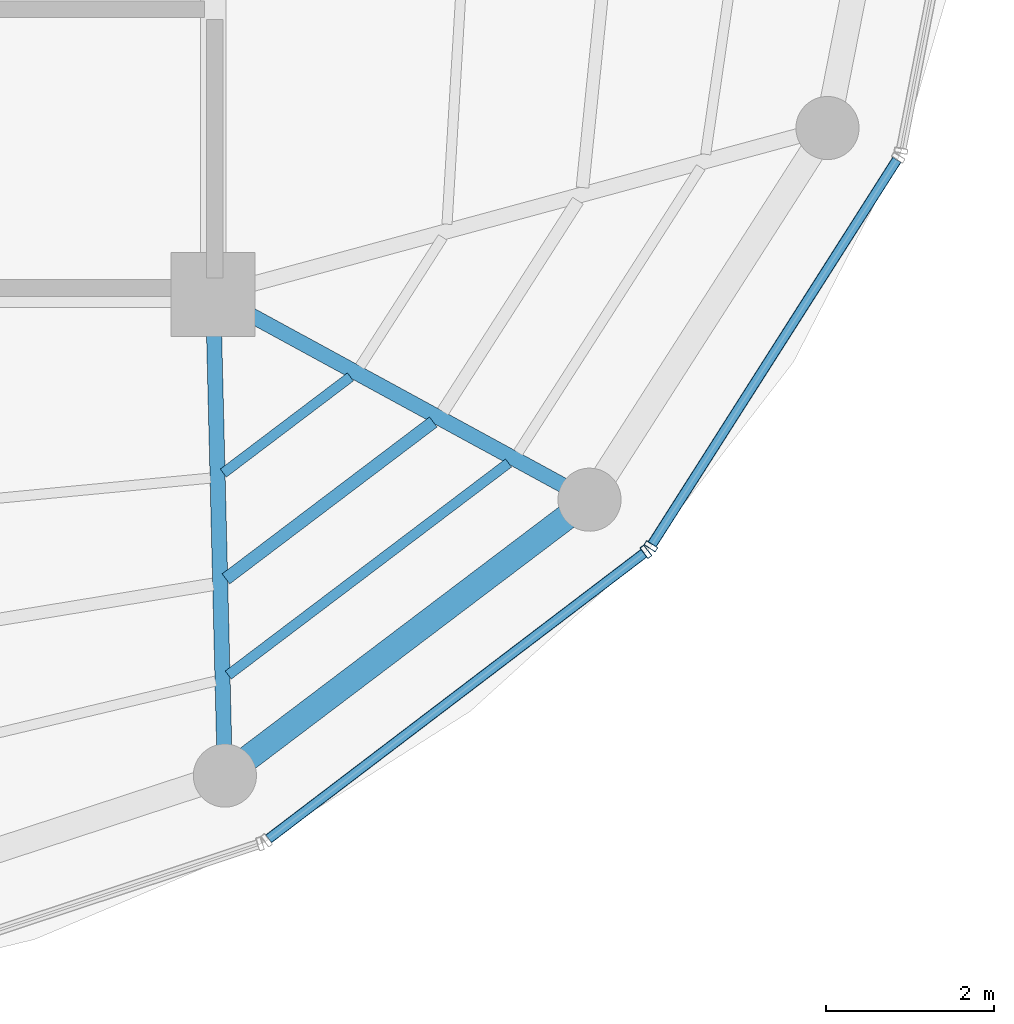
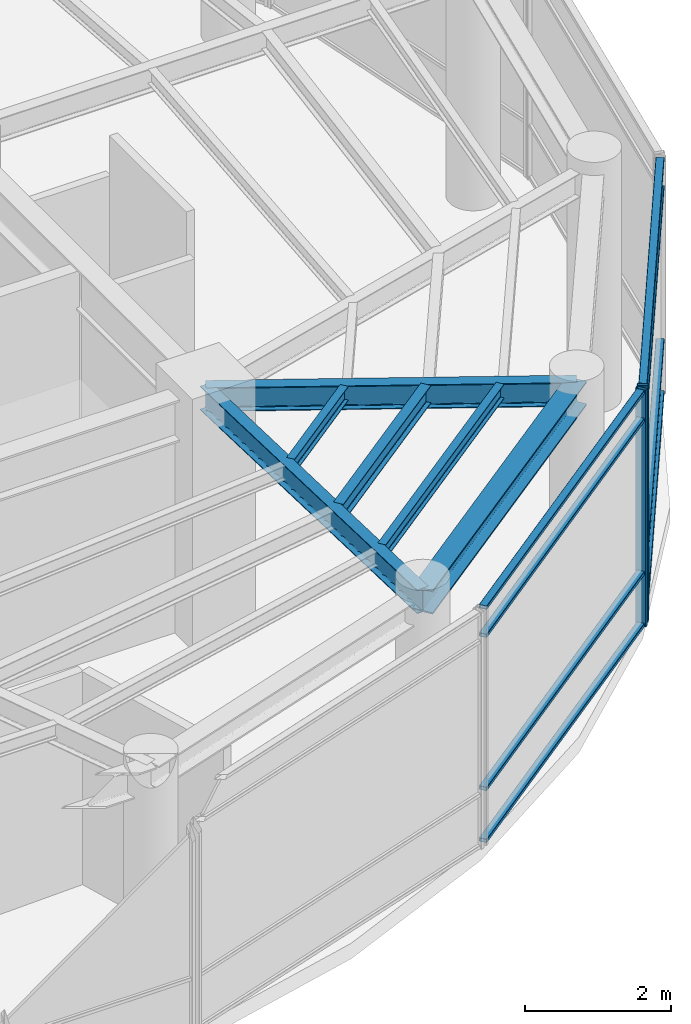
# One storey, part 7 of 19: 10 members, 6 beams, 2 elements without a shape of their own.
"""IFC4 building model written with IfcOpenShell, lengths in metres."""

from ifc_helpers import new_model, si_unit, direction, frame, origin, origin_2d, place, context, subcontext, project, spatial, hollow_rectangle, i_section, extrude, material, layer, layer_set, material_profile, profile_set, type_object, element, aggregate, save


model = new_model("IFC4")

# Units and contexts
model_context = context("Model", 3, precision=1e-05, world=origin(), true_north=direction((0.0, 1.0)))
body_context = subcontext(model_context, "Body", "Model", "MODEL_VIEW")
ifc_project = project(units=[si_unit("LENGTHUNIT", "METRE"), si_unit("AREAUNIT", "SQUARE_METRE"), si_unit("VOLUMEUNIT", "CUBIC_METRE"), si_unit("PLANEANGLEUNIT", "RADIAN"), si_unit("MASSUNIT", "GRAM", prefix="KILO")], contexts=[model_context])

# Site, building, storey
site_placement = place(None, origin())
site = spatial("IfcSite", under=ifc_project, at=site_placement, CompositionType="ELEMENT")
building_placement = place(site_placement, origin())
building = spatial("IfcBuilding", under=site, at=building_placement, Name="Kelanora Arch Commons", CompositionType="ELEMENT")
storey_placement = place(building_placement, frame((0.0, 0.0, 306.89990234375)))
storey = spatial("IfcBuildingStorey", under=building, at=storey_placement, Name="L78", CompositionType="ELEMENT", Elevation=306.89990234375)

# Beams
ifc_material_1 = material(Name="Steel S355", Category="steel")
ifc_material_profile_1 = material_profile(ifc_material_1, i_section(OverallWidth=0.14990234375, OverallDepth=0.300048828125, WebThickness=0.007080078125, FlangeThickness=0.0107421875, FilletRadius=0.014892578125, at=origin_2d()), Name="IPE300")
ifc_profile_set_1 = profile_set([ifc_material_profile_1], Name="Steel S355")
beam_type_1 = type_object("IfcBeamType", Name="BM-JST-01", PredefinedType="JOIST", material=ifc_profile_set_1)
beam_1_placement = place(storey_placement, frame((82.15185546875, 47.623291015625, 3.830078125), z_axis=(0.797441333972, 0.603396485632, 0.0), x_axis=(-0.603396485632, 0.797441333972, 0.0)))
element("IfcBeam", 1, at=beam_1_placement, inside=storey, type_object=beam_type_1, Name="Secondary Chord Joist BJB-30 L78", PredefinedType="JOIST", context=body_context, shape_type="SweptSolid", body=[
    extrude(i_section(OverallWidth=0.14990234375, OverallDepth=0.300048828125, WebThickness=0.007080078125, FlangeThickness=0.0107421875, FilletRadius=0.014892578125, at=origin_2d()), origin(), (0.0, 0.0, 1.0), 3.0888671875),
])
ifc_material_profile_2 = material_profile(ifc_material_1, i_section(OverallWidth=0.1201171875, OverallDepth=0.239990234375, WebThickness=0.006103515625, FlangeThickness=0.009765625, FilletRadius=0.014892578125, at=origin_2d()), Name="IPE240")
ifc_profile_set_2 = profile_set([ifc_material_profile_2], Name="Steel S355")
beam_type_2 = type_object("IfcBeamType", Name="BM-JST-02", PredefinedType="JOIST", material=ifc_profile_set_2)
beam_2_placement = place(storey_placement, frame((82.12109375, 48.880126953125, 3.860107421875), z_axis=(0.797424826317, 0.603418301324, 0.0), x_axis=(-0.603418301324, 0.797424826317, 0.0)))
element("IfcBeam", 2, at=beam_2_placement, inside=storey, type_object=beam_type_2, Name="Secondary Chord Joist BJA-30 L78", PredefinedType="JOIST", context=body_context, shape_type="SweptSolid", body=[
    extrude(i_section(OverallWidth=0.1201171875, OverallDepth=0.239990234375, WebThickness=0.006103515625, FlangeThickness=0.009765625, FilletRadius=0.014892578125, at=origin_2d()), origin(), (0.0, 0.0, 1.0), 1.893798828125),
])
beam_3_placement = place(storey_placement, frame((82.1796875, 46.480712890625, 3.860107421875), z_axis=(0.797480905842, 0.603344184373, 0.0), x_axis=(-0.603344184373, 0.797480905842, 0.0)))
element("IfcBeam", 3, at=beam_3_placement, inside=storey, type_object=beam_type_2, Name="Secondary Chord Joist BJC-30 L78", PredefinedType="JOIST", context=body_context, shape_type="SweptSolid", body=[
    extrude(i_section(OverallWidth=0.1201171875, OverallDepth=0.239990234375, WebThickness=0.006103515625, FlangeThickness=0.009765625, FilletRadius=0.014892578125, at=origin_2d()), origin(), (0.0, 0.0, 1.0), 4.175048828125),
])
ifc_material_profile_3 = material_profile(ifc_material_1, i_section(OverallWidth=0.179931640625, OverallDepth=0.39990234375, WebThickness=0.008544921875, FlangeThickness=0.013427734375, FilletRadius=0.02099609375, at=origin_2d()), Name="IPE400")
ifc_profile_set_3 = profile_set([ifc_material_profile_3], Name="Steel S355")
beam_type_3 = type_object("IfcBeamType", Name="BM-RAD-Z5", PredefinedType="BEAM", material=ifc_profile_set_3)
beam_4_placement = place(storey_placement, frame((82.0, 51.0, 3.780029296875), z_axis=(0.0244777504, -0.99970037498, 0.0), x_axis=(0.99970037498, 0.0244777504, 0.0)))
element("IfcBeam", 4, at=beam_4_placement, inside=storey, type_object=beam_type_3, Name="Radial Floor Girder BR-30 L78", PredefinedType="BEAM", context=body_context, shape_type="SweptSolid", body=[
    extrude(i_section(OverallWidth=0.179931640625, OverallDepth=0.39990234375, WebThickness=0.008544921875, FlangeThickness=0.013427734375, FilletRadius=0.02099609375, at=origin_2d()), origin(), (0.0, 0.0, 1.0), 5.715087890625),
])
beam_5_placement = place(storey_placement, frame((82.0, 51.0, 3.780029296875), z_axis=(0.878126355987, -0.478428785631, 0.0), x_axis=(0.478428785631, 0.878126355987, 0.0)))
element("IfcBeam", 5, at=beam_5_placement, inside=storey, type_object=beam_type_3, Name="Radial Floor Girder BR-32 L78", PredefinedType="BEAM", context=body_context, shape_type="SweptSolid", body=[
    extrude(i_section(OverallWidth=0.179931640625, OverallDepth=0.39990234375, WebThickness=0.008544921875, FlangeThickness=0.013427734375, FilletRadius=0.02099609375, at=origin_2d()), origin(), (0.0, 0.0, 1.0), 5.091796875),
])
ifc_material_profile_4 = material_profile(ifc_material_1, i_section(OverallWidth=0.300048828125, OverallDepth=0.39990234375, WebThickness=0.013427734375, FlangeThickness=0.02392578125, FilletRadius=0.027099609375, at=origin_2d()), Name="HEB400")
ifc_profile_set_4 = profile_set([ifc_material_profile_4], Name="Steel S355")
beam_type_4 = type_object("IfcBeamType", Name="BM-SPN-Z4", PredefinedType="SPANDREL", material=ifc_profile_set_4)
beam_6_placement = place(storey_placement, frame((82.139892578125, 45.28662109375, 3.780029296875), z_axis=(0.797441458309, 0.603396321309, 0.0), x_axis=(-0.603396321309, 0.797441458309, 0.0)))
element("IfcBeam", 6, at=beam_6_placement, inside=storey, type_object=beam_type_4, Name="Perimeter Spandrel Beam BS-30 L78", PredefinedType="SPANDREL", context=body_context, shape_type="SweptSolid", body=[
    extrude(i_section(OverallWidth=0.300048828125, OverallDepth=0.39990234375, WebThickness=0.013427734375, FlangeThickness=0.02392578125, FilletRadius=0.027099609375, at=origin_2d()), origin(), (0.0, 0.0, 1.0), 5.431396484375),
])

# Curtain wall, member
ifc_material_2 = material(Name="Terracotta ceramic-fritted low-E glass and aluminium", Category="masonry")
ifc_layer = layer(ifc_material_2, 0.14990234375)
ifc_layer_set = layer_set([ifc_layer], Name="Terracotta ceramic-fritted low-E glass and aluminium")
curtain_wall_type = type_object("IfcCurtainWallType", Name="CW-SYS-06", PredefinedType="NOTDEFINED", material=ifc_layer_set)
curtain_wall_1_placement = place(storey_placement, origin())
curtain_wall_1 = element("IfcCurtainWall", 7, at=curtain_wall_1_placement, inside=storey, type_object=curtain_wall_type, Name="Unitised Curtain Wall L78-B15", PredefinedType="NOTDEFINED")
ifc_material_3 = material(Name="Powder-coated aluminium terracotta", Category="masonry")
ifc_material_profile_5 = material_profile(ifc_material_3, hollow_rectangle(XDim=0.159912109375, YDim=0.06005859375, WallThickness=0.0048828125, InnerFilletRadius=0.0048828125, OuterFilletRadius=0.010009765625, at=origin_2d()), Name="CWM160x60")
ifc_profile_set_5 = profile_set([ifc_material_profile_5], Name="Powder-coated aluminium terracotta")
member_type_1 = type_object("IfcMemberType", Name="CWM-STD", PredefinedType="MULLION", material=ifc_profile_set_5)
member_1_placement = place(storey_placement, frame((87.14013671875, 47.9453125, 0.0), z_axis=(0.0, 0.0, 1.0), x_axis=(-0.605595960801, 0.795772286688, 0.0)))
member_1 = element("IfcMember", 8, at=member_1_placement, type_object=member_type_1, Name="CW-06 mullion 2", PredefinedType="MULLION", context=body_context, shape_type="SweptSolid", body=[
    extrude(hollow_rectangle(XDim=0.159912109375, YDim=0.06005859375, WallThickness=0.0048828125, InnerFilletRadius=0.0048828125, OuterFilletRadius=0.010009765625, at=origin_2d()), origin(), (0.0, 0.0, 1.0), 3.965087890625),
])

curtain_wall_2_placement = place(storey_placement, origin())
curtain_wall_2 = element("IfcCurtainWall", 9, at=curtain_wall_2_placement, inside=storey, type_object=curtain_wall_type, Name="Unitised Curtain Wall L78-B16", PredefinedType="NOTDEFINED")
member_2_placement = place(storey_placement, frame((87.2001953125, 48.010498046875, 0.0), z_axis=(0.0, 0.0, 1.0), x_axis=(-0.84359225554, 0.536984270154, 0.0)))
member_2 = element("IfcMember", 10, at=member_2_placement, type_object=member_type_1, Name="CW-06 mullion 1", PredefinedType="MULLION", context=body_context, shape_type="SweptSolid", body=[
    extrude(hollow_rectangle(XDim=0.159912109375, YDim=0.06005859375, WallThickness=0.0048828125, InnerFilletRadius=0.0048828125, OuterFilletRadius=0.010009765625, at=origin_2d()), origin(), (0.0, 0.0, 1.0), 3.965087890625),
])

# Member
ifc_material_profile_6 = material_profile(ifc_material_3, hollow_rectangle(XDim=0.1201171875, YDim=0.06005859375, WallThickness=0.0048828125, InnerFilletRadius=0.0048828125, OuterFilletRadius=0.010009765625, at=origin_2d()), Name="CWT120x60")
ifc_profile_set_6 = profile_set([ifc_material_profile_6], Name="Powder-coated aluminium terracotta")
member_type_2 = type_object("IfcMemberType", Name="CWT-STD", PredefinedType="USERDEFINED", material=ifc_profile_set_6)
member_3_placement = place(storey_placement, frame((82.65966796875, 44.535400390625, 0.030029296875), z_axis=(0.79577982782, 0.605586051387, 0.0), x_axis=(-0.605586051387, 0.79577982782, 0.0)))
member_3 = element("IfcMember", 11, at=member_3_placement, type_object=member_type_2, Name="CW-06 transom 1.1", ObjectType="TRANSOM", PredefinedType="USERDEFINED", context=body_context, shape_type="SweptSolid", body=[
    extrude(hollow_rectangle(XDim=0.1201171875, YDim=0.06005859375, WallThickness=0.0048828125, InnerFilletRadius=0.0048828125, OuterFilletRadius=0.010009765625, at=origin_2d()), origin(), (0.0, 0.0, 1.0), 5.6005859375),
])

member_4_placement = place(storey_placement, frame((82.65966796875, 44.535400390625, 0.900146484375), z_axis=(0.79577982782, 0.605586051387, 0.0), x_axis=(-0.605586051387, 0.79577982782, 0.0)))
member_4 = element("IfcMember", 12, at=member_4_placement, type_object=member_type_2, Name="CW-06 transom 1.2", ObjectType="TRANSOM", PredefinedType="USERDEFINED", context=body_context, shape_type="SweptSolid", body=[
    extrude(hollow_rectangle(XDim=0.1201171875, YDim=0.06005859375, WallThickness=0.0048828125, InnerFilletRadius=0.0048828125, OuterFilletRadius=0.010009765625, at=origin_2d()), origin(), (0.0, 0.0, 1.0), 5.6005859375),
])

member_5_placement = place(storey_placement, frame((82.65966796875, 44.535400390625, 3.465087890625), z_axis=(0.79577982782, 0.605586051387, 0.0), x_axis=(-0.605586051387, 0.79577982782, 0.0)))
member_5 = element("IfcMember", 13, at=member_5_placement, type_object=member_type_2, Name="CW-06 transom 1.3", ObjectType="TRANSOM", PredefinedType="USERDEFINED", context=body_context, shape_type="SweptSolid", body=[
    extrude(hollow_rectangle(XDim=0.1201171875, YDim=0.06005859375, WallThickness=0.0048828125, InnerFilletRadius=0.0048828125, OuterFilletRadius=0.010009765625, at=origin_2d()), origin(), (0.0, 0.0, 1.0), 5.6005859375),
])

member_6_placement = place(storey_placement, frame((82.65966796875, 44.535400390625, 3.93505859375), z_axis=(0.79577982782, 0.605586051387, 0.0), x_axis=(-0.605586051387, 0.79577982782, 0.0)))
member_6 = element("IfcMember", 14, at=member_6_placement, type_object=member_type_2, Name="CW-06 transom 1.4", ObjectType="TRANSOM", PredefinedType="USERDEFINED", context=body_context, shape_type="SweptSolid", body=[
    extrude(hollow_rectangle(XDim=0.1201171875, YDim=0.06005859375, WallThickness=0.0048828125, InnerFilletRadius=0.0048828125, OuterFilletRadius=0.010009765625, at=origin_2d()), origin(), (0.0, 0.0, 1.0), 5.6005859375),
])

aggregate(curtain_wall_1, [member_1, member_3, member_4, member_5, member_6])

member_7_placement = place(storey_placement, frame((87.21630859375, 48.035888671875, 0.030029296875), z_axis=(0.536992252766, 0.843587174197, 0.0), x_axis=(-0.843587174197, 0.536992252766, 0.0)))
member_7 = element("IfcMember", 15, at=member_7_placement, type_object=member_type_2, Name="CW-06 transom 1.1", ObjectType="TRANSOM", PredefinedType="USERDEFINED", context=body_context, shape_type="SweptSolid", body=[
    extrude(hollow_rectangle(XDim=0.1201171875, YDim=0.06005859375, WallThickness=0.0048828125, InnerFilletRadius=0.0048828125, OuterFilletRadius=0.010009765625, at=origin_2d()), origin(), (0.0, 0.0, 1.0), 5.41162109375),
])

member_8_placement = place(storey_placement, frame((87.21630859375, 48.035888671875, 0.900146484375), z_axis=(0.536992252766, 0.843587174197, 0.0), x_axis=(-0.843587174197, 0.536992252766, 0.0)))
member_8 = element("IfcMember", 16, at=member_8_placement, type_object=member_type_2, Name="CW-06 transom 1.2", ObjectType="TRANSOM", PredefinedType="USERDEFINED", context=body_context, shape_type="SweptSolid", body=[
    extrude(hollow_rectangle(XDim=0.1201171875, YDim=0.06005859375, WallThickness=0.0048828125, InnerFilletRadius=0.0048828125, OuterFilletRadius=0.010009765625, at=origin_2d()), origin(), (0.0, 0.0, 1.0), 5.41162109375),
])

member_9_placement = place(storey_placement, frame((87.21630859375, 48.035888671875, 3.465087890625), z_axis=(0.536992252766, 0.843587174197, 0.0), x_axis=(-0.843587174197, 0.536992252766, 0.0)))
member_9 = element("IfcMember", 17, at=member_9_placement, type_object=member_type_2, Name="CW-06 transom 1.3", ObjectType="TRANSOM", PredefinedType="USERDEFINED", context=body_context, shape_type="SweptSolid", body=[
    extrude(hollow_rectangle(XDim=0.1201171875, YDim=0.06005859375, WallThickness=0.0048828125, InnerFilletRadius=0.0048828125, OuterFilletRadius=0.010009765625, at=origin_2d()), origin(), (0.0, 0.0, 1.0), 5.41162109375),
])

member_10_placement = place(storey_placement, frame((87.21630859375, 48.035888671875, 3.93505859375), z_axis=(0.536992252766, 0.843587174197, 0.0), x_axis=(-0.843587174197, 0.536992252766, 0.0)))
member_10 = element("IfcMember", 18, at=member_10_placement, type_object=member_type_2, Name="CW-06 transom 1.4", ObjectType="TRANSOM", PredefinedType="USERDEFINED", context=body_context, shape_type="SweptSolid", body=[
    extrude(hollow_rectangle(XDim=0.1201171875, YDim=0.06005859375, WallThickness=0.0048828125, InnerFilletRadius=0.0048828125, OuterFilletRadius=0.010009765625, at=origin_2d()), origin(), (0.0, 0.0, 1.0), 5.41162109375),
])

aggregate(curtain_wall_2, [member_2, member_7, member_8, member_9, member_10])

save(model, "model.ifc")
